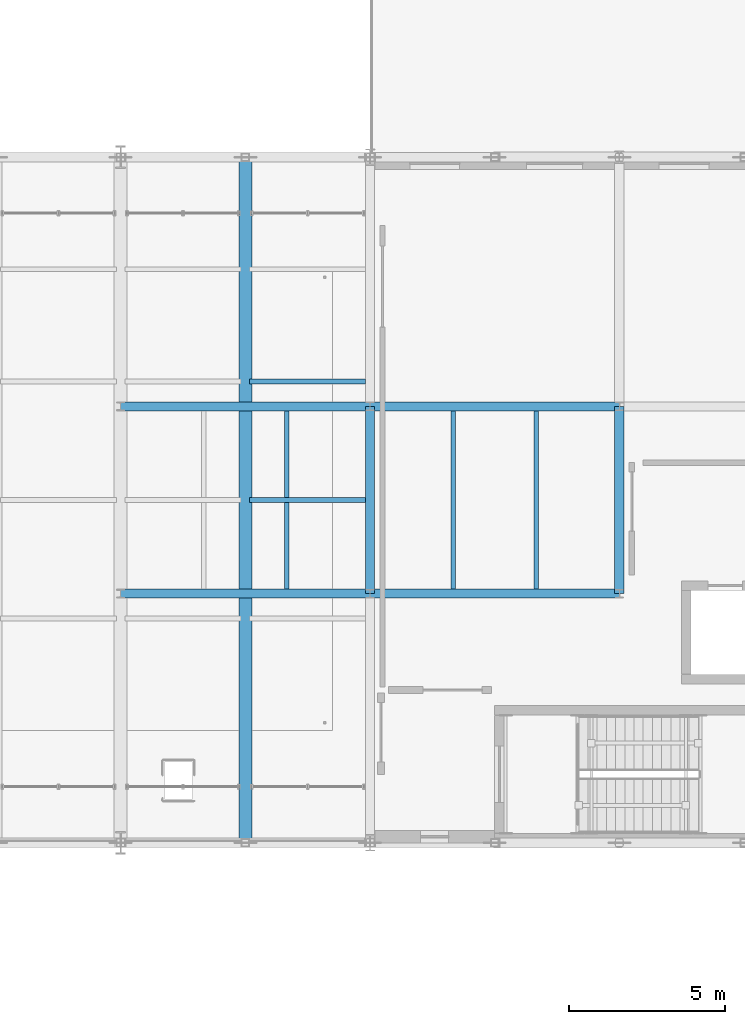
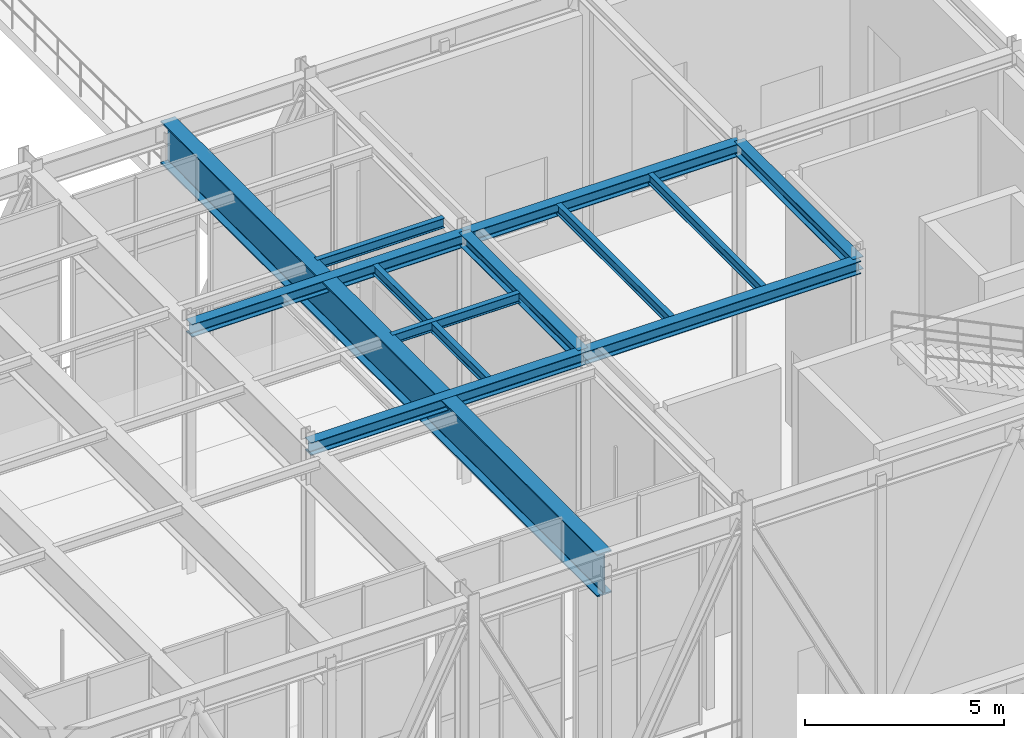
# One storey, part 31 of 138: 12 beams.
"""IFC4 building model written with IfcOpenShell, lengths in metres."""

from ifc_helpers import new_model, si_unit, direction, frame, origin, origin_2d, place, context, subcontext, project, spatial, i_section, extrude, material, material_profile, profile_set, type_object, element, save


model = new_model("IFC4")

# Units and contexts
model_context = context("Model", 3, precision=1e-05, world=origin(), true_north=direction((0.0, 1.0)))
body_context = subcontext(model_context, "Body", "Model", "MODEL_VIEW")
ifc_project = project(units=[si_unit("LENGTHUNIT", "METRE"), si_unit("AREAUNIT", "SQUARE_METRE"), si_unit("VOLUMEUNIT", "CUBIC_METRE"), si_unit("PLANEANGLEUNIT", "RADIAN"), si_unit("MASSUNIT", "GRAM", prefix="KILO")], contexts=[model_context])

# Site, building, storey
site_placement = place(None, origin())
site = spatial("IfcSite", under=ifc_project, at=site_placement, CompositionType="ELEMENT")
building_placement = place(site_placement, origin())
building = spatial("IfcBuilding", under=site, at=building_placement, Name="Sundkrona Museum", CompositionType="ELEMENT")
storey_placement = place(building_placement, frame((0.0, 0.0, 9.60009765625)))
storey = spatial("IfcBuildingStorey", under=building, at=storey_placement, Name="L02", CompositionType="ELEMENT", Elevation=9.60009765625)

# Beams
ifc_material_1 = material(Name="Steel S355J2", Category="steel")
ifc_material_profile_1 = material_profile(ifc_material_1, i_section(OverallWidth=0.300048828125, OverallDepth=0.389892578125, WebThickness=0.010986328125, FlangeThickness=0.01904296875, FilletRadius=0.027099609375, at=origin_2d()), Name="HEA 400")
ifc_profile_set_1 = profile_set([ifc_material_profile_1], Name="Steel S355J2")
beam_type_1 = type_object("IfcBeamType", Name="B-HEA400", PredefinedType="BEAM", material=ifc_profile_set_1)
for number, where, z_axis, x_axis, name in (
    (1, (16.0, 40.0, 7.47998046875), (1.0, 0.0, 0.0), (0.0, 1.0, 0.0), "L02 Girder X-1162"),
    (2, (24.0, 40.0, 7.47998046875), (1.0, 0.0, 0.0), (0.0, 1.0, 0.0), "L02 Girder X-1163"),
    (3, (16.0, 46.0, 7.47998046875), (1.0, 0.0, 0.0), (0.0, 1.0, 0.0), "L02 Girder X-1173"),
    (4, (24.0, 46.0, 7.47998046875), (1.0, 0.0, 0.0), (0.0, 1.0, 0.0), "L02 Girder X-1174"),
):
    element("IfcBeam", number, at=place(storey_placement, frame(where, z_axis=z_axis, x_axis=x_axis)), inside=storey, type_object=beam_type_1, Name=name, PredefinedType="BEAM", context=body_context, shape_type="SweptSolid", body=[
        extrude(i_section(OverallWidth=0.300048828125, OverallDepth=0.389892578125, WebThickness=0.010986328125, FlangeThickness=0.01904296875, FilletRadius=0.027099609375, at=origin_2d()), origin(), (0.0, 0.0, 1.0), 8.0),
    ])
for number, where, z_axis, x_axis, name in (
    (5, (24.0, 40.0, 7.47998046875), (0.0, 1.0, 0.0), (-1.0, 0.0, 0.0), "L02 Girder Y-1272"),
    (6, (32.0, 40.0, 7.47998046875), (0.0, 1.0, 0.0), (-1.0, 0.0, 0.0), "L02 Girder Y-1277"),
):
    element("IfcBeam", number, at=place(storey_placement, frame(where, z_axis=z_axis, x_axis=x_axis)), inside=storey, type_object=beam_type_1, Name=name, PredefinedType="BEAM", context=body_context, shape_type="SweptSolid", body=[
        extrude(i_section(OverallWidth=0.300048828125, OverallDepth=0.389892578125, WebThickness=0.010986328125, FlangeThickness=0.01904296875, FilletRadius=0.027099609375, at=origin_2d()), origin(), (0.0, 0.0, 1.0), 6.0),
    ])
ifc_material_profile_2 = material_profile(ifc_material_1, i_section(OverallWidth=0.14990234375, OverallDepth=0.300048828125, WebThickness=0.007080078125, FlangeThickness=0.0107421875, FilletRadius=0.014892578125, at=origin_2d()), Name="IPE 300")
ifc_profile_set_2 = profile_set([ifc_material_profile_2], Name="Steel S355J2")
beam_type_2 = type_object("IfcBeamType", Name="J-IPE300", PredefinedType="JOIST", material=ifc_profile_set_2)
for number, where, z_axis, x_axis, name in (
    (7, (21.333251953125, 40.14404296875, 7.52490234375), (0.0, 1.0, 0.0), (-1.0, 0.0, 0.0), "L02 Composite Joist 0779"),
    (8, (26.666748046875, 40.14404296875, 7.52490234375), (0.0, 1.0, 0.0), (-1.0, 0.0, 0.0), "L02 Composite Joist 0786"),
    (9, (29.333251953125, 40.14404296875, 7.52490234375), (0.0, 1.0, 0.0), (-1.0, 0.0, 0.0), "L02 Composite Joist 0787"),
):
    element("IfcBeam", number, at=place(storey_placement, frame(where, z_axis=z_axis, x_axis=x_axis)), inside=storey, type_object=beam_type_2, Name=name, PredefinedType="JOIST", context=body_context, shape_type="SweptSolid", body=[
        extrude(i_section(OverallWidth=0.14990234375, OverallDepth=0.300048828125, WebThickness=0.007080078125, FlangeThickness=0.0107421875, FilletRadius=0.014892578125, at=origin_2d()), origin(), (0.0, 0.0, 1.0), 5.7119140625),
    ])
for number, where, z_axis, x_axis, name in (
    (10, (20.139892578125, 43.0, 7.52490234375), (1.0, 0.0, 0.0), (0.0, 1.0, 0.0), "L02 Cantilever Floor Joist"),
    (11, (20.139892578125, 46.800048828125, 7.52490234375), (1.0, 0.0, 0.0), (0.0, 1.0, 0.0), "L02 Cantilever Floor Joist"),
):
    element("IfcBeam", number, at=place(storey_placement, frame(where, z_axis=z_axis, x_axis=x_axis)), inside=storey, type_object=beam_type_2, Name=name, PredefinedType="JOIST", context=body_context, shape_type="SweptSolid", body=[
        extrude(i_section(OverallWidth=0.14990234375, OverallDepth=0.300048828125, WebThickness=0.007080078125, FlangeThickness=0.0107421875, FilletRadius=0.014892578125, at=origin_2d()), origin(), (0.0, 0.0, 1.0), 3.72021484375),
    ])
ifc_material_2 = material(Name="Steel S460M", Category="steel")
ifc_material_profile_3 = material_profile(ifc_material_2, i_section(OverallWidth=0.419921875, OverallDepth=1.300048828125, WebThickness=0.02001953125, FlangeThickness=0.0380859375, FilletRadius=0.02392578125, at=origin_2d()), Name="PG 1300x420")
ifc_profile_set_3 = profile_set([ifc_material_profile_3], Name="Steel S460M")
beam_type_3 = type_object("IfcBeamType", Name="TG-HEM900", PredefinedType="USERDEFINED", material=ifc_profile_set_3)
beam_placement = place(storey_placement, frame((20.0, 32.0, 7.02490234375), z_axis=(0.0, 1.0, 0.0), x_axis=(-1.0, 0.0, 0.0)))
element("IfcBeam", 12, at=beam_placement, inside=storey, type_object=beam_type_3, Name="TG-2 L02 Cantilever Cross Transfer Girder X=20", ObjectType="TRANSFER GIRDER", PredefinedType="USERDEFINED", context=body_context, shape_type="SweptSolid", body=[
    extrude(i_section(OverallWidth=0.419921875, OverallDepth=1.300048828125, WebThickness=0.02001953125, FlangeThickness=0.0380859375, FilletRadius=0.02392578125, at=origin_2d()), origin(), (0.0, 0.0, 1.0), 22.0),
])

save(model, "model.ifc")
